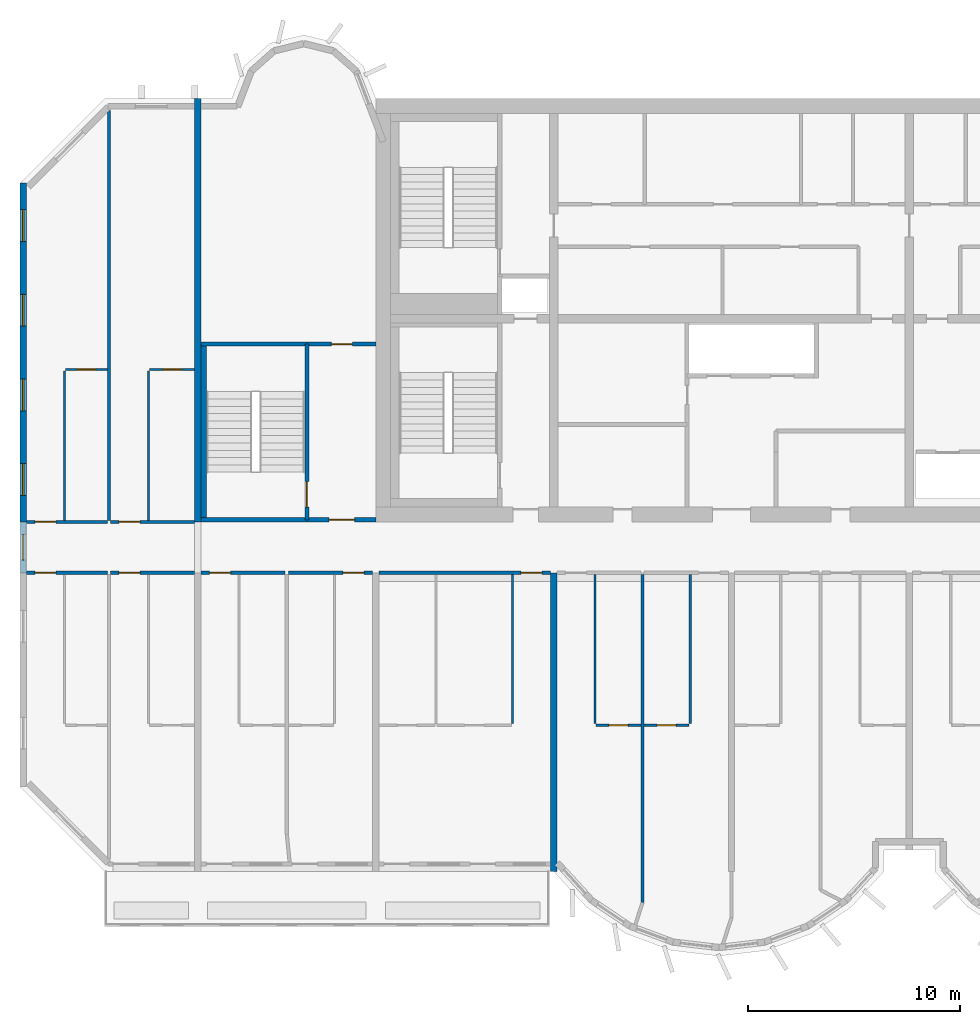
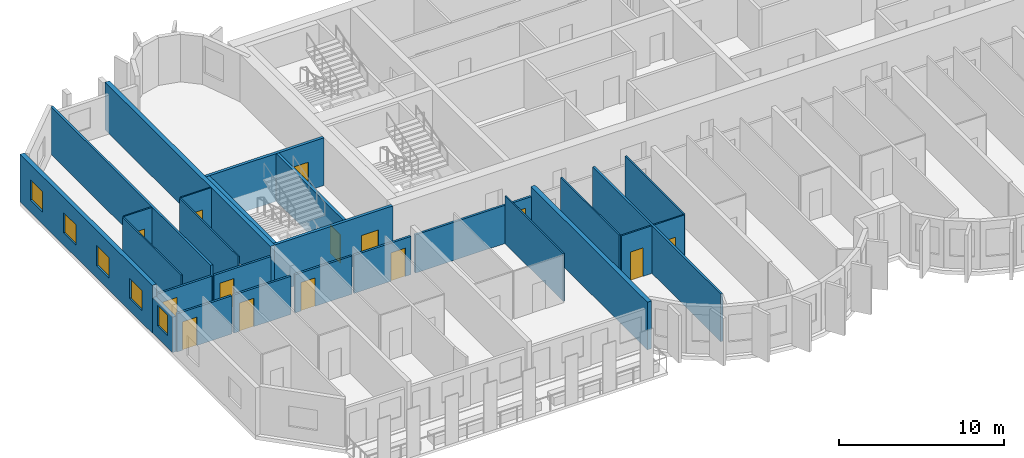
# One storey, part 3 of 13: 26 walls, 14 doors, 5 windows, 19 openings.
"""IFC4 building model written with IfcOpenShell, lengths in metres."""

from ifc_helpers import new_model, si_unit, direction, frame, frame_2d, origin, place, context, subcontext, project, spatial, rectangle, extrude, source, transform, mapped, material, layer, layer_set, type_object, element, fill, save


model = new_model("IFC4")

# Units and contexts
model_context = context("Model", 3, precision=1e-05, world=origin(), true_north=direction((0.0, 1.0)))
body_context = subcontext(model_context, "Body", "Model", "MODEL_VIEW")
ifc_project = project(units=[si_unit("LENGTHUNIT", "METRE"), si_unit("AREAUNIT", "SQUARE_METRE"), si_unit("VOLUMEUNIT", "CUBIC_METRE"), si_unit("PLANEANGLEUNIT", "RADIAN"), si_unit("MASSUNIT", "GRAM", prefix="KILO")], contexts=[model_context])

# Site, building, storey
site_placement = place(None, origin())
site = spatial("IfcSite", under=ifc_project, at=site_placement, CompositionType="ELEMENT")
building_placement = place(site_placement, origin())
building = spatial("IfcBuilding", under=site, at=building_placement, Name="Vanashikhar Sky Hotel", CompositionType="ELEMENT")
storey_placement = place(building_placement, frame((0.0, 0.0, 178.199951171875)))
storey = spatial("IfcBuildingStorey", under=building, at=storey_placement, Name="L43", CompositionType="ELEMENT", Elevation=178.199951171875)

# Wall, openings, windows
ifc_material_1 = material(Name="Concrete M60", Category="concrete")
ifc_layer_1 = layer(ifc_material_1, 0.300048828125)
ifc_layer_set_1 = layer_set([ifc_layer_1], Name="RC shear wall 300 Concrete M60")
wall_type_1 = type_object("IfcWallType", Name="RC shear wall 300 Concrete M60", PredefinedType="SHEAR", material=ifc_layer_set_1)
shared_shape_1 = source(origin(), body_context, "Body", "SweptSolid", [
    extrude(rectangle(XDim=16.0, YDim=0.300048828125, at=frame_2d((8.0, 0.0))), origin(), (0.0, 0.0, 1.0), 3.52001953125),
])
wall_1_placement = place(storey_placement, frame((8.550048828125, 22.0, 0.0), z_axis=(0.0, 0.0, 1.0), x_axis=(0.0, 1.0, 0.0)))
wall_1 = element("IfcWall", 1, at=wall_1_placement, inside=storey, type_object=wall_type_1, Name="CW-L43-XW02-2", PredefinedType="SHEAR", context=body_context, shape_type="MappedRepresentation", body=[
    mapped(shared_shape_1, transform((0.0, 0.0, 0.0), scale=1.0)),
])
shared_shape_2 = source(origin(), body_context, "Body", "SweptSolid", [
    extrude(rectangle(XDim=1.5, YDim=1.5, at=frame_2d((0.75, 0.75))), frame((0.0, 0.16015625, 0.0), z_axis=(0.0, -1.0, 0.0), x_axis=(1.0, 0.0, 0.0)), (0.0, 0.0, 1.0), 0.320068359375),
])
opening_1_placement = place(wall_1_placement, frame((1.25, 0.0, 0.89990234375)))
opening_1 = element("IfcOpeningElement", 2, at=opening_1_placement, cuts=wall_1, Name="Opening WN-1", PredefinedType="OPENING", context=body_context, shape_type="MappedRepresentation", body=[
    mapped(shared_shape_2, transform((0.0, 0.0, 0.0), scale=1.0)),
])
opening_2_placement = place(wall_1_placement, frame((5.25, 0.0, 0.89990234375)))
opening_2 = element("IfcOpeningElement", 3, at=opening_2_placement, cuts=wall_1, Name="Opening WN-1", PredefinedType="OPENING", context=body_context, shape_type="MappedRepresentation", body=[
    mapped(shared_shape_2, transform((0.0, 0.0, 0.0), scale=1.0)),
])
opening_3_placement = place(wall_1_placement, frame((9.25, 0.0, 0.89990234375)))
opening_3 = element("IfcOpeningElement", 4, at=opening_3_placement, cuts=wall_1, Name="Opening WN-1", PredefinedType="OPENING", context=body_context, shape_type="MappedRepresentation", body=[
    mapped(shared_shape_2, transform((0.0, 0.0, 0.0), scale=1.0)),
])
opening_4_placement = place(wall_1_placement, frame((13.25, 0.0, 0.89990234375)))
opening_4 = element("IfcOpeningElement", 5, at=opening_4_placement, cuts=wall_1, Name="Opening WN-1", PredefinedType="OPENING", context=body_context, shape_type="MappedRepresentation", body=[
    mapped(shared_shape_2, transform((0.0, 0.0, 0.0), scale=1.0)),
])
ifc_material_2 = material(Name="Glass", Category="glass")
window_type_1 = type_object("IfcWindowType", Name="Window 1500 x 1500", PartitioningType="SINGLE_PANEL", PredefinedType="WINDOW", material=ifc_material_2)
shared_shape_3 = source(origin(), body_context, "Body", "SweptSolid", [
    extrude(rectangle(XDim=1.5, YDim=1.5, at=frame_2d((0.75, 0.75))), frame((0.0, 0.030029296875, 0.0), z_axis=(0.0, -1.0, 0.0), x_axis=(1.0, 0.0, 0.0)), (0.0, 0.0, 1.0), 0.06005859375),
])
window_1_placement = place(opening_1_placement, origin())
window_1 = element("IfcWindow", 6, at=window_1_placement, inside=storey, type_object=window_type_1, Name="Window WN-1", OverallHeight=1.5, OverallWidth=1.5, PartitioningType="SINGLE_PANEL", PredefinedType="WINDOW", context=body_context, shape_type="MappedRepresentation", body=[
    mapped(shared_shape_3, transform((0.0, 0.0, 0.0), scale=1.0)),
])
fill(opening_1, window_1)
window_2_placement = place(opening_2_placement, origin())
window_2 = element("IfcWindow", 7, at=window_2_placement, inside=storey, type_object=window_type_1, Name="Window WN-1", OverallHeight=1.5, OverallWidth=1.5, PartitioningType="SINGLE_PANEL", PredefinedType="WINDOW", context=body_context, shape_type="MappedRepresentation", body=[
    mapped(shared_shape_3, transform((0.0, 0.0, 0.0), scale=1.0)),
])
fill(opening_2, window_2)
window_3_placement = place(opening_3_placement, origin())
window_3 = element("IfcWindow", 8, at=window_3_placement, inside=storey, type_object=window_type_1, Name="Window WN-1", OverallHeight=1.5, OverallWidth=1.5, PartitioningType="SINGLE_PANEL", PredefinedType="WINDOW", context=body_context, shape_type="MappedRepresentation", body=[
    mapped(shared_shape_3, transform((0.0, 0.0, 0.0), scale=1.0)),
])
fill(opening_3, window_3)
window_4_placement = place(opening_4_placement, origin())
window_4 = element("IfcWindow", 9, at=window_4_placement, inside=storey, type_object=window_type_1, Name="Window WN-1", OverallHeight=1.5, OverallWidth=1.5, PartitioningType="SINGLE_PANEL", PredefinedType="WINDOW", context=body_context, shape_type="MappedRepresentation", body=[
    mapped(shared_shape_3, transform((0.0, 0.0, 0.0), scale=1.0)),
])
fill(opening_4, window_4)

# Walls
shared_shape_4 = source(origin(), body_context, "Body", "SweptSolid", [
    extrude(rectangle(XDim=14.10009765625, YDim=0.300048828125, at=frame_2d((7.050048828125, 0.0))), origin(), (0.0, 0.0, 1.0), 3.52001953125),
])
wall_2_placement = place(storey_placement, frame((33.60009765625, 5.5, 0.0), z_axis=(0.0, 0.0, 1.0), x_axis=(0.0, 1.0, 0.0)))
element("IfcWall", 10, at=wall_2_placement, inside=storey, type_object=wall_type_1, Name="CW-L43-XW05-1", PredefinedType="SHEAR", context=body_context, shape_type="MappedRepresentation", body=[
    mapped(shared_shape_4, transform((0.0, 0.0, 0.0), scale=1.0)),
])
shared_shape_5 = source(origin(), body_context, "Body", "SweptSolid", [
    extrude(rectangle(XDim=20.0, YDim=0.300048828125, at=frame_2d((10.0, 0.0))), origin(), (0.0, 0.0, 1.0), 3.52001953125),
])
wall_3_placement = place(storey_placement, frame((16.800048828125, 22.0, 0.0), z_axis=(0.0, 0.0, 1.0), x_axis=(0.0, 1.0, 0.0)))
element("IfcWall", 11, at=wall_3_placement, inside=storey, type_object=wall_type_1, Name="CW-L43-XW03-2", PredefinedType="SHEAR", context=body_context, shape_type="MappedRepresentation", body=[
    mapped(shared_shape_5, transform((0.0, 0.0, 0.0), scale=1.0)),
])

# Wall, opening, window
ifc_material_3 = material(Name="Concrete M50", Category="concrete")
ifc_layer_2 = layer(ifc_material_3, 0.25)
ifc_layer_set_2 = layer_set([ifc_layer_2], Name="Rear and end board-marked wall 250")
wall_type_2 = type_object("IfcWallType", Name="Rear and end board-marked wall 250", PredefinedType="SOLIDWALL", material=ifc_layer_set_2)
shared_shape_6 = source(origin(), body_context, "Body", "SweptSolid", [
    extrude(rectangle(XDim=2.39990234375, YDim=0.25, at=frame_2d((1.199951171875, 0.0))), origin(), (0.0, 0.0, 1.0), 2.6201171875),
])
wall_4_placement = place(storey_placement, frame((8.550048828125, 19.60009765625, 0.0), z_axis=(0.0, 0.0, 1.0), x_axis=(0.0, 1.0, 0.0)))
wall_4 = element("IfcWall", 12, at=wall_4_placement, inside=storey, type_object=wall_type_2, Name="End corridor infill wall", PredefinedType="SOLIDWALL", context=body_context, shape_type="MappedRepresentation", body=[
    mapped(shared_shape_6, transform((0.0, 0.0, 0.0), scale=1.0)),
])
shared_shape_7 = source(origin(), body_context, "Body", "SweptSolid", [
    extrude(rectangle(XDim=1.199951171875, YDim=1.5, at=frame_2d((0.60009765625, 0.75))), frame((0.0, 0.135009765625, 0.0), z_axis=(0.0, -1.0, 0.0), x_axis=(1.0, 0.0, 0.0)), (0.0, 0.0, 1.0), 0.27001953125),
])
opening_5_placement = place(wall_4_placement, frame((0.60009765625, 0.0, 0.89990234375)))
opening_5 = element("IfcOpeningElement", 13, at=opening_5_placement, cuts=wall_4, Name="Opening WN-3", PredefinedType="OPENING", context=body_context, shape_type="MappedRepresentation", body=[
    mapped(shared_shape_7, transform((0.0, 0.0, 0.0), scale=1.0)),
])
window_type_2 = type_object("IfcWindowType", Name="Corridor end window 1200 x 1500", PartitioningType="SINGLE_PANEL", PredefinedType="WINDOW", material=ifc_material_2)
shared_shape_8 = source(origin(), body_context, "Body", "SweptSolid", [
    extrude(rectangle(XDim=1.199951171875, YDim=1.5, at=frame_2d((0.60009765625, 0.75))), frame((0.0, 0.030029296875, 0.0), z_axis=(0.0, -1.0, 0.0), x_axis=(1.0, 0.0, 0.0)), (0.0, 0.0, 1.0), 0.06005859375),
])
window_5_placement = place(opening_5_placement, origin())
window_5 = element("IfcWindow", 14, at=window_5_placement, inside=storey, type_object=window_type_2, Name="Window WN-3", OverallHeight=1.5, OverallWidth=1.199951171875, PartitioningType="SINGLE_PANEL", PredefinedType="WINDOW", context=body_context, shape_type="MappedRepresentation", body=[
    mapped(shared_shape_8, transform((0.0, 0.0, 0.0), scale=1.0)),
])
fill(opening_5, window_5)

# Wall, opening, door
ifc_layer_3 = layer(ifc_material_3, 0.199951171875)
ifc_layer_set_3 = layer_set([ifc_layer_3], Name="Stair wall 200")
wall_type_3 = type_object("IfcWallType", Name="Stair wall 200", PredefinedType="SOLIDWALL", material=ifc_layer_set_3)
shared_shape_9 = source(origin(), body_context, "Body", "SweptSolid", [
    extrude(rectangle(XDim=8.2998046875, YDim=0.199951171875, at=frame_2d((4.14990234375, 0.0))), origin(), (0.0, 0.0, 1.0), 3.52001953125),
])
wall_5_placement = place(storey_placement, frame((21.949951171875, 22.10009765625, 0.0), z_axis=(0.0, 0.0, 1.0), x_axis=(0.0, 1.0, 0.0)))
wall_5 = element("IfcWall", 15, at=wall_5_placement, inside=storey, type_object=wall_type_3, Name="Stair wall 200", PredefinedType="SOLIDWALL", context=body_context, shape_type="MappedRepresentation", body=[
    mapped(shared_shape_9, transform((0.0, 0.0, 0.0), scale=1.0)),
])
shared_shape_10 = source(origin(), body_context, "Body", "SweptSolid", [
    extrude(rectangle(XDim=1.199951171875, YDim=2.10009765625, at=frame_2d((0.60009765625, 1.050048828125))), frame((0.0, 0.10986328125, 0.0), z_axis=(0.0, -1.0, 0.0), x_axis=(1.0, 0.0, 0.0)), (0.0, 0.0, 1.0), 0.219970703125),
])
opening_6_placement = place(wall_5_placement, frame((0.60009765625, 0.0, 0.0)))
opening_6 = element("IfcOpeningElement", 16, at=opening_6_placement, cuts=wall_5, Name="Opening DC-1", PredefinedType="OPENING", context=body_context, shape_type="MappedRepresentation", body=[
    mapped(shared_shape_10, transform((0.0, 0.0, 0.0), scale=1.0)),
])
ifc_material_4 = material(Name="Steel", Category="steel")
door_type_1 = type_object("IfcDoorType", Name="Stair door 1200 FD120", OperationType="NOTDEFINED", PredefinedType="DOOR", material=ifc_material_4)
shared_shape_11 = source(origin(), body_context, "Body", "SweptSolid", [
    extrude(rectangle(XDim=1.199951171875, YDim=2.10009765625, at=frame_2d((0.60009765625, 1.050048828125))), frame((0.0, 0.02490234375, 0.0), z_axis=(0.0, -1.0, 0.0), x_axis=(1.0, 0.0, 0.0)), (0.0, 0.0, 1.0), 0.050048828125),
])
door_1_placement = place(opening_6_placement, origin())
door_1 = element("IfcDoor", 17, at=door_1_placement, inside=storey, type_object=door_type_1, Name="Stair door 1200 FD120", OperationType="SINGLE_SWING_LEFT", OverallHeight=2.10009765625, OverallWidth=1.199951171875, PredefinedType="DOOR", context=body_context, shape_type="MappedRepresentation", body=[
    mapped(shared_shape_11, transform((0.0, 0.0, 0.0), scale=1.0)),
])
fill(opening_6, door_1)

shared_shape_12 = source(origin(), body_context, "Body", "SweptSolid", [
    extrude(rectangle(XDim=8.25, YDim=0.199951171875, at=frame_2d((4.125, 0.0))), origin(), (0.0, 0.0, 1.0), 3.52001953125),
])
wall_6_placement = place(storey_placement, frame((16.949951171875, 22.10009765625, 0.0), z_axis=(0.0, 0.0, 1.0), x_axis=(1.0, 0.0, 0.0)))
wall_6 = element("IfcWall", 18, at=wall_6_placement, inside=storey, type_object=wall_type_3, Name="Stair wall 200", PredefinedType="SOLIDWALL", context=body_context, shape_type="MappedRepresentation", body=[
    mapped(shared_shape_12, transform((0.0, 0.0, 0.0), scale=1.0)),
])
opening_7_placement = place(wall_6_placement, frame((6.050048828125, 0.0, 0.0)))
opening_7 = element("IfcOpeningElement", 19, at=opening_7_placement, cuts=wall_6, Name="Opening DC-2", PredefinedType="OPENING", context=body_context, shape_type="MappedRepresentation", body=[
    mapped(shared_shape_10, transform((0.0, 0.0, 0.0), scale=1.0)),
])
door_type_2 = type_object("IfcDoorType", Name="Firefighting lobby door 1200 FD120", OperationType="NOTDEFINED", PredefinedType="DOOR", material=ifc_material_4)
door_2_placement = place(opening_7_placement, origin())
door_2 = element("IfcDoor", 20, at=door_2_placement, inside=storey, type_object=door_type_2, Name="Firefighting lobby door 1200 FD120", OperationType="SINGLE_SWING_RIGHT", OverallHeight=2.10009765625, OverallWidth=1.199951171875, PredefinedType="DOOR", context=body_context, shape_type="MappedRepresentation", body=[
    mapped(shared_shape_11, transform((0.0, 0.0, 0.0), scale=1.0)),
])
fill(opening_7, door_2)

wall_7_placement = place(storey_placement, frame((16.949951171875, 30.39990234375, 0.0), z_axis=(0.0, 0.0, 1.0), x_axis=(1.0, 0.0, 0.0)))
wall_7 = element("IfcWall", 21, at=wall_7_placement, inside=storey, type_object=wall_type_3, Name="Stair wall 200", PredefinedType="SOLIDWALL", context=body_context, shape_type="MappedRepresentation", body=[
    mapped(shared_shape_12, transform((0.0, 0.0, 0.0), scale=1.0)),
])
shared_shape_13 = source(origin(), body_context, "Body", "SweptSolid", [
    extrude(rectangle(XDim=1.0, YDim=2.10009765625, at=frame_2d((0.5, 1.050048828125))), frame((0.0, 0.10986328125, 0.0), z_axis=(0.0, -1.0, 0.0), x_axis=(1.0, 0.0, 0.0)), (0.0, 0.0, 1.0), 0.219970703125),
])
opening_8_placement = place(wall_7_placement, frame((6.14990234375, 0.0, 0.0)))
opening_8 = element("IfcOpeningElement", 22, at=opening_8_placement, cuts=wall_7, Name="Opening DC-6", PredefinedType="OPENING", context=body_context, shape_type="MappedRepresentation", body=[
    mapped(shared_shape_13, transform((0.0, 0.0, 0.0), scale=1.0)),
])
door_type_3 = type_object("IfcDoorType", Name="Pocket door 1000 FD60", OperationType="NOTDEFINED", PredefinedType="DOOR", material=ifc_material_4)
shared_shape_14 = source(origin(), body_context, "Body", "SweptSolid", [
    extrude(rectangle(XDim=1.0, YDim=2.10009765625, at=frame_2d((0.5, 1.050048828125))), frame((0.0, 0.02490234375, 0.0), z_axis=(0.0, -1.0, 0.0), x_axis=(1.0, 0.0, 0.0)), (0.0, 0.0, 1.0), 0.050048828125),
])
door_3_placement = place(opening_8_placement, origin())
door_3 = element("IfcDoor", 23, at=door_3_placement, inside=storey, type_object=door_type_3, Name="Pocket door 1000 FD60", OperationType="SINGLE_SWING_RIGHT", OverallHeight=2.10009765625, OverallWidth=1.0, PredefinedType="DOOR", context=body_context, shape_type="MappedRepresentation", body=[
    mapped(shared_shape_14, transform((0.0, 0.0, 0.0), scale=1.0)),
])
fill(opening_8, door_3)

# Walls
ifc_layer_4 = layer(ifc_material_3, 0.25)
ifc_layer_set_4 = layer_set([ifc_layer_4], Name="Stair infill wall 250")
wall_type_4 = type_object("IfcWallType", Name="Stair infill wall 250", PredefinedType="SOLIDWALL", material=ifc_layer_set_4)
shared_shape_15 = source(origin(), body_context, "Body", "SweptSolid", [
    extrude(rectangle(XDim=8.10009765625, YDim=0.25, at=frame_2d((4.050048828125, 0.0))), origin(), (0.0, 0.0, 1.0), 3.52001953125),
])
wall_8_placement = place(storey_placement, frame((17.074951171875, 22.199951171875, 0.0), z_axis=(0.0, 0.0, 1.0), x_axis=(0.0, 1.0, 0.0)))
element("IfcWall", 24, at=wall_8_placement, inside=storey, type_object=wall_type_4, Name="Stair infill wall 250", PredefinedType="SOLIDWALL", context=body_context, shape_type="MappedRepresentation", body=[
    mapped(shared_shape_15, transform((0.0, 0.0, 0.0), scale=1.0)),
])
ifc_material_5 = material(Name="Gypsum plasterboard partition")
ifc_layer_5 = layer(ifc_material_5, 0.10009765625)
ifc_layer_set_5 = layer_set([ifc_layer_5], Name="Wet room partition 100")
wall_type_5 = type_object("IfcWallType", Name="Wet room partition 100", PredefinedType="PARTITIONING", material=ifc_layer_set_5)
shared_shape_16 = source(origin(), body_context, "Body", "SweptSolid", [
    extrude(rectangle(XDim=7.0498046875, YDim=0.10009765625, at=frame_2d((3.52490234375, 0.0))), origin(), (0.0, 0.0, 1.0), 3.52001953125),
])
for number, where, z_axis, x_axis, name in (
    (25, (31.64990234375, 12.47509765625, 0.0), (0.0, 0.0, 1.0), (0.0, 1.0, 0.0), "W-L43-PW015"),
    (26, (35.550048828125, 12.47509765625, 0.0), (0.0, 0.0, 1.0), (0.0, 1.0, 0.0), "W-L43-PW020"),
    (27, (40.050048828125, 12.47509765625, 0.0), (0.0, 0.0, 1.0), (0.0, 1.0, 0.0), "W-L43-PW023"),
):
    element("IfcWall", number, at=place(storey_placement, frame(where, z_axis=z_axis, x_axis=x_axis)), inside=storey, type_object=wall_type_5, Name=name, PredefinedType="PARTITIONING", context=body_context, shape_type="MappedRepresentation", body=[
        mapped(shared_shape_16, transform((0.0, 0.0, 0.0), scale=1.0)),
    ])
shared_shape_17 = source(origin(), body_context, "Body", "SweptSolid", [
    extrude(rectangle(XDim=7.050048828125, YDim=0.10009765625, at=frame_2d((3.52490234375, 0.0))), origin(), (0.0, 0.0, 1.0), 3.52001953125),
])
for number, where, z_axis, x_axis, name in (
    (28, (10.5, 22.074951171875, 0.0), (0.0, 0.0, 1.0), (0.0, 1.0, 0.0), "W-L43-PW071"),
    (29, (14.47509765625, 22.074951171875, 0.0), (0.0, 0.0, 1.0), (0.0, 1.0, 0.0), "W-L43-PW074"),
):
    element("IfcWall", number, at=place(storey_placement, frame(where, z_axis=z_axis, x_axis=x_axis)), inside=storey, type_object=wall_type_5, Name=name, PredefinedType="PARTITIONING", context=body_context, shape_type="MappedRepresentation", body=[
        mapped(shared_shape_17, transform((0.0, 0.0, 0.0), scale=1.0)),
    ])
ifc_layer_6 = layer(ifc_material_5, 0.14990234375)
ifc_layer_set_6 = layer_set([ifc_layer_6], Name="Corridor and demising partition 150")
wall_type_6 = type_object("IfcWallType", Name="Corridor and demising partition 150", PredefinedType="PARTITIONING", material=ifc_layer_set_6)
shared_shape_18 = source(origin(), body_context, "Body", "SweptSolid", [
    extrude(rectangle(XDim=19.34716796875, YDim=0.14990234375, at=frame_2d((9.673583984375, 0.0))), origin(), (0.0, 0.0, 1.0), 3.52001953125),
])
wall_9_placement = place(storey_placement, frame((12.60009765625, 22.074951171875, 0.0), z_axis=(0.0, 0.0, 1.0), x_axis=(0.0, 1.0, 0.0)))
element("IfcWall", 30, at=wall_9_placement, inside=storey, type_object=wall_type_6, Name="W-L43-PW077", PredefinedType="PARTITIONING", context=body_context, shape_type="MappedRepresentation", body=[
    mapped(shared_shape_18, transform((0.0, 0.0, 0.0), scale=1.0)),
])
shared_shape_19 = source(origin(), body_context, "Body", "SweptSolid", [
    extrude(rectangle(XDim=15.497802734375, YDim=0.14990234375, at=frame_2d((7.7490234375, 0.0))), origin(), (0.0, 0.0, 1.0), 3.52001953125),
])
wall_10_placement = place(storey_placement, frame((37.800048828125, 4.027099609375, 0.0), z_axis=(0.0, 0.0, 1.0), x_axis=(0.0, 1.0, 0.0)))
element("IfcWall", 31, at=wall_10_placement, inside=storey, type_object=wall_type_6, Name="W-L43-PW026", PredefinedType="PARTITIONING", context=body_context, shape_type="MappedRepresentation", body=[
    mapped(shared_shape_19, transform((0.0, 0.0, 0.0), scale=1.0)),
])

# Wall, opening, door
shared_shape_20 = source(origin(), body_context, "Body", "SweptSolid", [
    extrude(rectangle(XDim=2.125, YDim=0.10009765625, at=frame_2d((1.0625, 0.0))), origin(), (0.0, 0.0, 1.0), 3.52001953125),
])
wall_11_placement = place(storey_placement, frame((35.60009765625, 12.39990234375, 0.0), z_axis=(0.0, 0.0, 1.0), x_axis=(1.0, 0.0, 0.0)))
wall_11 = element("IfcWall", 32, at=wall_11_placement, inside=storey, type_object=wall_type_5, Name="W-L43-PW021", PredefinedType="PARTITIONING", context=body_context, shape_type="MappedRepresentation", body=[
    mapped(shared_shape_20, transform((0.0, 0.0, 0.0), scale=1.0)),
])
shared_shape_21 = source(origin(), body_context, "Body", "SweptSolid", [
    extrude(rectangle(XDim=0.89990234375, YDim=2.10009765625, at=frame_2d((0.449951171875, 1.050048828125))), frame((0.0, 0.06005859375, 0.0), z_axis=(0.0, -1.0, 0.0), x_axis=(1.0, 0.0, 0.0)), (0.0, 0.0, 1.0), 0.1201171875),
])
opening_9_placement = place(wall_11_placement, frame((0.612060546875, 0.0, 0.0)))
opening_9 = element("IfcOpeningElement", 33, at=opening_9_placement, cuts=wall_11, Name="Opening D-02", PredefinedType="OPENING", context=body_context, shape_type="MappedRepresentation", body=[
    mapped(shared_shape_21, transform((0.0, 0.0, 0.0), scale=1.0)),
])
ifc_material_6 = material(Name="Timber door", Category="wood")
door_type_4 = type_object("IfcDoorType", Name="Internal door 900", OperationType="NOTDEFINED", PredefinedType="DOOR", material=ifc_material_6)
shared_shape_22 = source(origin(), body_context, "Body", "SweptSolid", [
    extrude(rectangle(XDim=0.89990234375, YDim=2.10009765625, at=frame_2d((0.449951171875, 1.050048828125))), frame((0.0, 0.02490234375, 0.0), z_axis=(0.0, -1.0, 0.0), x_axis=(1.0, 0.0, 0.0)), (0.0, 0.0, 1.0), 0.050048828125),
])
door_4_placement = place(opening_9_placement, origin())
door_4 = element("IfcDoor", 34, at=door_4_placement, inside=storey, type_object=door_type_4, Name="D-L43-012", OperationType="SINGLE_SWING_LEFT", OverallHeight=2.10009765625, OverallWidth=0.89990234375, PredefinedType="DOOR", context=body_context, shape_type="MappedRepresentation", body=[
    mapped(shared_shape_22, transform((0.0, 0.0, 0.0), scale=1.0)),
])
fill(opening_9, door_4)

wall_12_placement = place(storey_placement, frame((37.875, 12.39990234375, 0.0), z_axis=(0.0, 0.0, 1.0), x_axis=(1.0, 0.0, 0.0)))
wall_12 = element("IfcWall", 35, at=wall_12_placement, inside=storey, type_object=wall_type_5, Name="W-L43-PW024", PredefinedType="PARTITIONING", context=body_context, shape_type="MappedRepresentation", body=[
    mapped(shared_shape_20, transform((0.0, 0.0, 0.0), scale=1.0)),
])
opening_10_placement = place(wall_12_placement, frame((0.612060546875, 0.0, 0.0)))
opening_10 = element("IfcOpeningElement", 36, at=opening_10_placement, cuts=wall_12, Name="Opening D-02", PredefinedType="OPENING", context=body_context, shape_type="MappedRepresentation", body=[
    mapped(shared_shape_21, transform((0.0, 0.0, 0.0), scale=1.0)),
])
door_5_placement = place(opening_10_placement, origin())
door_5 = element("IfcDoor", 37, at=door_5_placement, inside=storey, type_object=door_type_4, Name="D-L43-014", OperationType="SINGLE_SWING_RIGHT", OverallHeight=2.10009765625, OverallWidth=0.89990234375, PredefinedType="DOOR", context=body_context, shape_type="MappedRepresentation", body=[
    mapped(shared_shape_22, transform((0.0, 0.0, 0.0), scale=1.0)),
])
fill(opening_10, door_5)

wall_13_placement = place(storey_placement, frame((14.52490234375, 29.199951171875, 0.0), z_axis=(0.0, 0.0, 1.0), x_axis=(1.0, 0.0, 0.0)))
wall_13 = element("IfcWall", 38, at=wall_13_placement, inside=storey, type_object=wall_type_5, Name="W-L43-PW075", PredefinedType="PARTITIONING", context=body_context, shape_type="MappedRepresentation", body=[
    mapped(shared_shape_20, transform((0.0, 0.0, 0.0), scale=1.0)),
])
opening_11_placement = place(wall_13_placement, frame((0.612060546875, 0.0, 0.0)))
opening_11 = element("IfcOpeningElement", 39, at=opening_11_placement, cuts=wall_13, Name="Opening D-02", PredefinedType="OPENING", context=body_context, shape_type="MappedRepresentation", body=[
    mapped(shared_shape_21, transform((0.0, 0.0, 0.0), scale=1.0)),
])
door_6_placement = place(opening_11_placement, origin())
door_6 = element("IfcDoor", 40, at=door_6_placement, inside=storey, type_object=door_type_4, Name="D-L43-042", OperationType="SINGLE_SWING_LEFT", OverallHeight=2.10009765625, OverallWidth=0.89990234375, PredefinedType="DOOR", context=body_context, shape_type="MappedRepresentation", body=[
    mapped(shared_shape_22, transform((0.0, 0.0, 0.0), scale=1.0)),
])
fill(opening_11, door_6)

shared_shape_23 = source(origin(), body_context, "Body", "SweptSolid", [
    extrude(rectangle(XDim=3.974853515625, YDim=0.14990234375, at=frame_2d((1.9873046875, 0.0))), origin(), (0.0, 0.0, 1.0), 2.820068359375),
])
wall_14_placement = place(storey_placement, frame((12.675048828125, 19.60009765625, 0.0), z_axis=(0.0, 0.0, 1.0), x_axis=(1.0, 0.0, 0.0)))
wall_14 = element("IfcWall", 41, at=wall_14_placement, inside=storey, type_object=wall_type_6, Name="W-L43-PW006", PredefinedType="PARTITIONING", context=body_context, shape_type="MappedRepresentation", body=[
    mapped(shared_shape_23, transform((0.0, 0.0, 0.0), scale=1.0)),
])
shared_shape_24 = source(origin(), body_context, "Body", "SweptSolid", [
    extrude(rectangle(XDim=1.0, YDim=2.10009765625, at=frame_2d((0.5, 1.050048828125))), frame((0.0, 0.0849609375, 0.0), z_axis=(0.0, -1.0, 0.0), x_axis=(1.0, 0.0, 0.0)), (0.0, 0.0, 1.0), 0.169921875),
])
opening_12_placement = place(wall_14_placement, frame((0.39990234375, 0.0, 0.0)))
opening_12 = element("IfcOpeningElement", 42, at=opening_12_placement, cuts=wall_14, Name="Opening D-01", PredefinedType="OPENING", context=body_context, shape_type="MappedRepresentation", body=[
    mapped(shared_shape_24, transform((0.0, 0.0, 0.0), scale=1.0)),
])
ifc_material_7 = material(Name="Timber fire door", Category="wood")
door_type_5 = type_object("IfcDoorType", Name="Guest entry door 1000 FD30S", OperationType="NOTDEFINED", PredefinedType="DOOR", material=ifc_material_7)
door_7_placement = place(opening_12_placement, origin())
door_7 = element("IfcDoor", 43, at=door_7_placement, inside=storey, type_object=door_type_5, Name="D-L43-004", OperationType="SINGLE_SWING_LEFT", OverallHeight=2.10009765625, OverallWidth=1.0, PredefinedType="DOOR", context=body_context, shape_type="MappedRepresentation", body=[
    mapped(shared_shape_14, transform((0.0, 0.0, 0.0), scale=1.0)),
])
fill(opening_12, door_7)

wall_15_placement = place(storey_placement, frame((12.675048828125, 22.0, 0.0), z_axis=(0.0, 0.0, 1.0), x_axis=(1.0, 0.0, 0.0)))
wall_15 = element("IfcWall", 44, at=wall_15_placement, inside=storey, type_object=wall_type_6, Name="W-L43-PW076", PredefinedType="PARTITIONING", context=body_context, shape_type="MappedRepresentation", body=[
    mapped(shared_shape_23, transform((0.0, 0.0, 0.0), scale=1.0)),
])
opening_13_placement = place(wall_15_placement, frame((0.39990234375, 0.0, 0.0)))
opening_13 = element("IfcOpeningElement", 45, at=opening_13_placement, cuts=wall_15, Name="Opening D-01", PredefinedType="OPENING", context=body_context, shape_type="MappedRepresentation", body=[
    mapped(shared_shape_24, transform((0.0, 0.0, 0.0), scale=1.0)),
])
door_8_placement = place(opening_13_placement, origin())
door_8 = element("IfcDoor", 46, at=door_8_placement, inside=storey, type_object=door_type_5, Name="D-L43-043", OperationType="SINGLE_SWING_LEFT", OverallHeight=2.10009765625, OverallWidth=1.0, PredefinedType="DOOR", context=body_context, shape_type="MappedRepresentation", body=[
    mapped(shared_shape_14, transform((0.0, 0.0, 0.0), scale=1.0)),
])
fill(opening_13, door_8)

shared_shape_25 = source(origin(), body_context, "Body", "SweptSolid", [
    extrude(rectangle(XDim=3.97509765625, YDim=0.14990234375, at=frame_2d((1.987548828125, 0.0))), origin(), (0.0, 0.0, 1.0), 2.820068359375),
])
wall_16_placement = place(storey_placement, frame((16.949951171875, 19.60009765625, 0.0), z_axis=(0.0, 0.0, 1.0), x_axis=(1.0, 0.0, 0.0)))
wall_16 = element("IfcWall", 47, at=wall_16_placement, inside=storey, type_object=wall_type_6, Name="W-L43-PW010", PredefinedType="PARTITIONING", context=body_context, shape_type="MappedRepresentation", body=[
    mapped(shared_shape_25, transform((0.0, 0.0, 0.0), scale=1.0)),
])
opening_14_placement = place(wall_16_placement, frame((0.39990234375, 0.0, 0.0)))
opening_14 = element("IfcOpeningElement", 48, at=opening_14_placement, cuts=wall_16, Name="Opening D-01", PredefinedType="OPENING", context=body_context, shape_type="MappedRepresentation", body=[
    mapped(shared_shape_24, transform((0.0, 0.0, 0.0), scale=1.0)),
])
door_9_placement = place(opening_14_placement, origin())
door_9 = element("IfcDoor", 49, at=door_9_placement, inside=storey, type_object=door_type_5, Name="D-L43-006", OperationType="SINGLE_SWING_LEFT", OverallHeight=2.10009765625, OverallWidth=1.0, PredefinedType="DOOR", context=body_context, shape_type="MappedRepresentation", body=[
    mapped(shared_shape_14, transform((0.0, 0.0, 0.0), scale=1.0)),
])
fill(opening_14, door_9)

wall_17_placement = place(storey_placement, frame((21.074951171875, 19.60009765625, 0.0), z_axis=(0.0, 0.0, 1.0), x_axis=(1.0, 0.0, 0.0)))
wall_17 = element("IfcWall", 50, at=wall_17_placement, inside=storey, type_object=wall_type_6, Name="W-L43-PW013", PredefinedType="PARTITIONING", context=body_context, shape_type="MappedRepresentation", body=[
    mapped(shared_shape_25, transform((0.0, 0.0, 0.0), scale=1.0)),
])
opening_15_placement = place(wall_17_placement, frame((2.574951171875, 0.0, 0.0)))
opening_15 = element("IfcOpeningElement", 51, at=opening_15_placement, cuts=wall_17, Name="Opening D-01", PredefinedType="OPENING", context=body_context, shape_type="MappedRepresentation", body=[
    mapped(shared_shape_24, transform((0.0, 0.0, 0.0), scale=1.0)),
])
door_10_placement = place(opening_15_placement, origin())
door_10 = element("IfcDoor", 52, at=door_10_placement, inside=storey, type_object=door_type_5, Name="D-L43-008", OperationType="SINGLE_SWING_RIGHT", OverallHeight=2.10009765625, OverallWidth=1.0, PredefinedType="DOOR", context=body_context, shape_type="MappedRepresentation", body=[
    mapped(shared_shape_14, transform((0.0, 0.0, 0.0), scale=1.0)),
])
fill(opening_15, door_10)

shared_shape_26 = source(origin(), body_context, "Body", "SweptSolid", [
    extrude(rectangle(XDim=8.099853515625, YDim=0.14990234375, at=frame_2d((4.0498046875, 0.0))), origin(), (0.0, 0.0, 1.0), 2.820068359375),
])
wall_18_placement = place(storey_placement, frame((25.35009765625, 19.60009765625, 0.0), z_axis=(0.0, 0.0, 1.0), x_axis=(1.0, 0.0, 0.0)))
wall_18 = element("IfcWall", 53, at=wall_18_placement, inside=storey, type_object=wall_type_6, Name="W-L43-PW019", PredefinedType="PARTITIONING", context=body_context, shape_type="MappedRepresentation", body=[
    mapped(shared_shape_26, transform((0.0, 0.0, 0.0), scale=1.0)),
])
opening_16_placement = place(wall_18_placement, frame((6.699951171875, 0.0, 0.0)))
opening_16 = element("IfcOpeningElement", 54, at=opening_16_placement, cuts=wall_18, Name="Opening D-01", PredefinedType="OPENING", context=body_context, shape_type="MappedRepresentation", body=[
    mapped(shared_shape_24, transform((0.0, 0.0, 0.0), scale=1.0)),
])
door_11_placement = place(opening_16_placement, origin())
door_11 = element("IfcDoor", 55, at=door_11_placement, inside=storey, type_object=door_type_5, Name="D-L43-011", OperationType="SINGLE_SWING_RIGHT", OverallHeight=2.10009765625, OverallWidth=1.0, PredefinedType="DOOR", context=body_context, shape_type="MappedRepresentation", body=[
    mapped(shared_shape_14, transform((0.0, 0.0, 0.0), scale=1.0)),
])
fill(opening_16, door_11)

shared_shape_27 = source(origin(), body_context, "Body", "SweptSolid", [
    extrude(rectangle(XDim=1.974853515625, YDim=0.10009765625, at=frame_2d((0.9873046875, 0.0))), origin(), (0.0, 0.0, 1.0), 3.52001953125),
])
wall_19_placement = place(storey_placement, frame((10.550048828125, 29.199951171875, 0.0), z_axis=(0.0, 0.0, 1.0), x_axis=(1.0, 0.0, 0.0)))
wall_19 = element("IfcWall", 56, at=wall_19_placement, inside=storey, type_object=wall_type_5, Name="W-L43-PW072", PredefinedType="PARTITIONING", context=body_context, shape_type="MappedRepresentation", body=[
    mapped(shared_shape_27, transform((0.0, 0.0, 0.0), scale=1.0)),
])
opening_17_placement = place(wall_19_placement, frame((0.5380859375, 0.0, 0.0)))
opening_17 = element("IfcOpeningElement", 57, at=opening_17_placement, cuts=wall_19, Name="Opening D-02", PredefinedType="OPENING", context=body_context, shape_type="MappedRepresentation", body=[
    mapped(shared_shape_21, transform((0.0, 0.0, 0.0), scale=1.0)),
])
door_12_placement = place(opening_17_placement, origin())
door_12 = element("IfcDoor", 58, at=door_12_placement, inside=storey, type_object=door_type_4, Name="D-L43-040", OperationType="SINGLE_SWING_LEFT", OverallHeight=2.10009765625, OverallWidth=0.89990234375, PredefinedType="DOOR", context=body_context, shape_type="MappedRepresentation", body=[
    mapped(shared_shape_22, transform((0.0, 0.0, 0.0), scale=1.0)),
])
fill(opening_17, door_12)

shared_shape_28 = source(origin(), body_context, "Body", "SweptSolid", [
    extrude(rectangle(XDim=3.824951171875, YDim=0.14990234375, at=frame_2d((1.91259765625, 0.0))), origin(), (0.0, 0.0, 1.0), 2.820068359375),
])
wall_20_placement = place(storey_placement, frame((8.699951171875, 19.60009765625, 0.0), z_axis=(0.0, 0.0, 1.0), x_axis=(1.0, 0.0, 0.0)))
wall_20 = element("IfcWall", 59, at=wall_20_placement, inside=storey, type_object=wall_type_6, Name="W-L43-PW003", PredefinedType="PARTITIONING", context=body_context, shape_type="MappedRepresentation", body=[
    mapped(shared_shape_28, transform((0.0, 0.0, 0.0), scale=1.0)),
])
opening_18_placement = place(wall_20_placement, frame((0.39990234375, 0.0, 0.0)))
opening_18 = element("IfcOpeningElement", 60, at=opening_18_placement, cuts=wall_20, Name="Opening D-01", PredefinedType="OPENING", context=body_context, shape_type="MappedRepresentation", body=[
    mapped(shared_shape_24, transform((0.0, 0.0, 0.0), scale=1.0)),
])
door_13_placement = place(opening_18_placement, origin())
door_13 = element("IfcDoor", 61, at=door_13_placement, inside=storey, type_object=door_type_5, Name="D-L43-002", OperationType="SINGLE_SWING_LEFT", OverallHeight=2.10009765625, OverallWidth=1.0, PredefinedType="DOOR", context=body_context, shape_type="MappedRepresentation", body=[
    mapped(shared_shape_14, transform((0.0, 0.0, 0.0), scale=1.0)),
])
fill(opening_18, door_13)

wall_21_placement = place(storey_placement, frame((8.699951171875, 22.0, 0.0), z_axis=(0.0, 0.0, 1.0), x_axis=(1.0, 0.0, 0.0)))
wall_21 = element("IfcWall", 62, at=wall_21_placement, inside=storey, type_object=wall_type_6, Name="W-L43-PW073", PredefinedType="PARTITIONING", context=body_context, shape_type="MappedRepresentation", body=[
    mapped(shared_shape_28, transform((0.0, 0.0, 0.0), scale=1.0)),
])
opening_19_placement = place(wall_21_placement, frame((0.39990234375, 0.0, 0.0)))
opening_19 = element("IfcOpeningElement", 63, at=opening_19_placement, cuts=wall_21, Name="Opening D-01", PredefinedType="OPENING", context=body_context, shape_type="MappedRepresentation", body=[
    mapped(shared_shape_24, transform((0.0, 0.0, 0.0), scale=1.0)),
])
door_14_placement = place(opening_19_placement, origin())
door_14 = element("IfcDoor", 64, at=door_14_placement, inside=storey, type_object=door_type_5, Name="D-L43-041", OperationType="SINGLE_SWING_LEFT", OverallHeight=2.10009765625, OverallWidth=1.0, PredefinedType="DOOR", context=body_context, shape_type="MappedRepresentation", body=[
    mapped(shared_shape_14, transform((0.0, 0.0, 0.0), scale=1.0)),
])
fill(opening_19, door_14)

save(model, "model.ifc")
